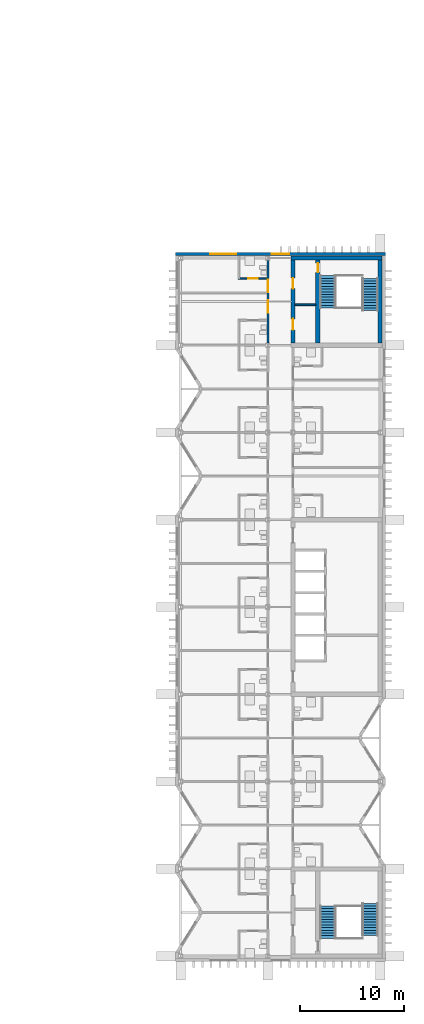
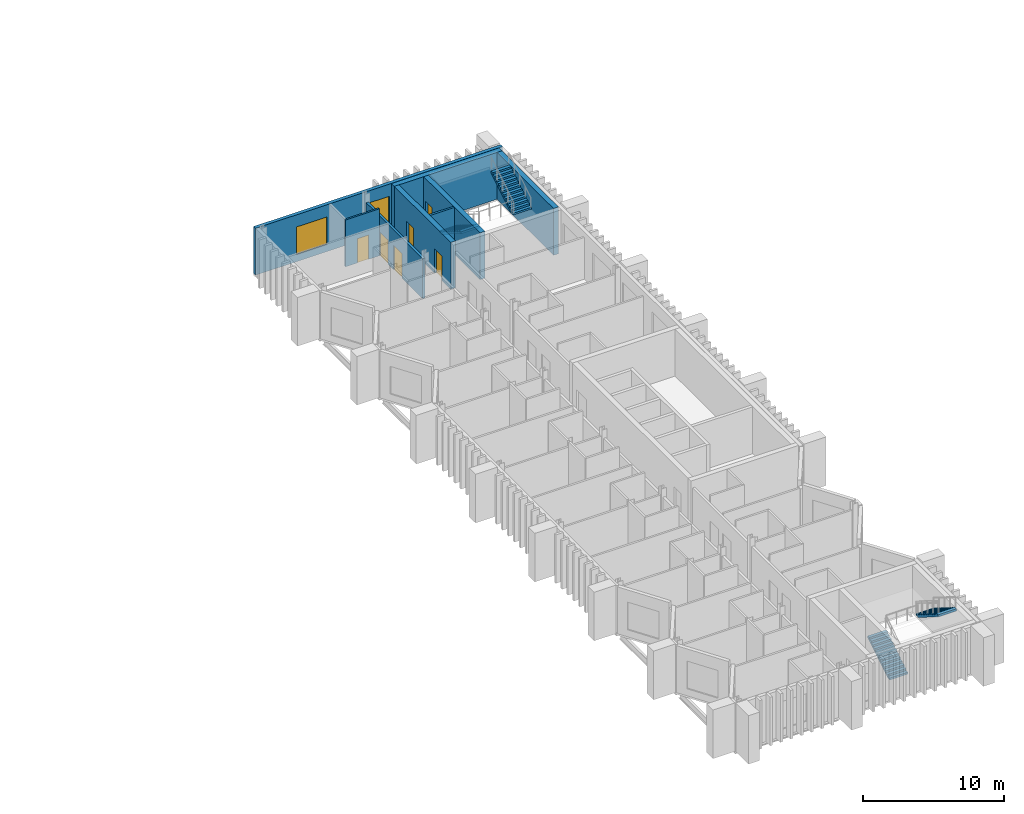
# One storey, part 15 of 17: 8 walls, 6 doors, 4 stair flights, 2 windows, 8 openings, 2 elements without a shape of their own.
"""IFC4 building model written with IfcOpenShell, lengths in metres."""

from ifc_helpers import new_model, si_unit, direction, frame, frame_2d, origin, place, context, subcontext, project, spatial, polyline, rectangle, outline, extrude, material, layer, layer_set, type_object, element, fill, aggregate, save


model = new_model("IFC4")

# Units and contexts
model_context = context("Model", 3, precision=1e-05, world=origin(), true_north=direction((0.0, 1.0)))
body_context = subcontext(model_context, "Body", "Model", "MODEL_VIEW")
ifc_project = project(units=[si_unit("LENGTHUNIT", "METRE"), si_unit("AREAUNIT", "SQUARE_METRE"), si_unit("VOLUMEUNIT", "CUBIC_METRE"), si_unit("PLANEANGLEUNIT", "RADIAN"), si_unit("MASSUNIT", "GRAM", prefix="KILO")], contexts=[model_context])

# Site, building, storey
site_placement = place(None, origin())
site = spatial("IfcSite", under=ifc_project, at=site_placement, CompositionType="ELEMENT")
building_placement = place(site_placement, origin())
building = spatial("IfcBuilding", under=site, at=building_placement, Name="Cresset Court Congress Hotel", CompositionType="ELEMENT")
storey_placement = place(building_placement, frame((0.0, 0.0, 31.199951171875)))
storey = spatial("IfcBuildingStorey", under=building, at=storey_placement, Name="L07", CompositionType="ELEMENT", Elevation=31.199951171875)

# Wall, openings, doors
ifc_material_1 = material(Name="Gypsum board partition")
ifc_layer_1 = layer(ifc_material_1, 0.199951171875)
ifc_layer_set_1 = layer_set([ifc_layer_1], Name="Corridor wall 200")
wall_type_1 = type_object("IfcWallType", Name="Corridor wall 200", PredefinedType="PARTITIONING", material=ifc_layer_set_1)
wall_1_placement = place(storey_placement, frame((165.60009765625, 59.0, 0.0), z_axis=(0.0, 0.0, 1.0), x_axis=(0.0, 1.0, 0.0)))
wall_1 = element("IfcWall", 1, at=wall_1_placement, inside=storey, type_object=wall_type_1, Name="A.wl.L07.077", PredefinedType="PARTITIONING", context=body_context, shape_type="SweptSolid", body=[
    extrude(rectangle(XDim=8.0, YDim=0.199951171875, at=frame_2d((4.0, 0.0))), origin(), (0.0, 0.0, 1.0), 3.449951171875),
])
opening_1_placement = place(wall_1_placement, frame((2.919921875, 0.0, 0.0)))
opening_1 = element("IfcOpeningElement", 2, at=opening_1_placement, cuts=wall_1, Name="Opening DA-07-30", PredefinedType="OPENING", context=body_context, shape_type="SweptSolid", body=[
    extrude(rectangle(XDim=1.199951171875, YDim=2.10009765625, at=frame_2d((0.60009765625, 1.050048828125))), frame((0.0, 0.10986328125, 0.0), z_axis=(0.0, -1.0, 0.0), x_axis=(1.0, 0.0, 0.0)), (0.0, 0.0, 1.0), 0.219970703125),
])
opening_2_placement = place(wall_1_placement, frame((4.919921875, 0.0, 0.0)))
opening_2 = element("IfcOpeningElement", 3, at=opening_2_placement, cuts=wall_1, Name="Opening DA-07-32", PredefinedType="OPENING", context=body_context, shape_type="SweptSolid", body=[
    extrude(rectangle(XDim=1.199951171875, YDim=2.10009765625, at=frame_2d((0.60009765625, 1.050048828125))), frame((0.0, 0.10986328125, 0.0), z_axis=(0.0, -1.0, 0.0), x_axis=(1.0, 0.0, 0.0)), (0.0, 0.0, 1.0), 0.219970703125),
])
ifc_material_2 = material(Name="timber", Category="wood")
door_type_1 = type_object("IfcDoorType", Name="Guest-room entry door 1200x2100 FD30S", OperationType="SINGLE_SWING_LEFT", PredefinedType="DOOR", material=ifc_material_2)
door_1_placement = place(opening_1_placement, origin())
door_1 = element("IfcDoor", 4, at=door_1_placement, inside=storey, type_object=door_type_1, Name="Door DA-07-30", OperationType="SINGLE_SWING_RIGHT", OverallHeight=2.10009765625, OverallWidth=1.199951171875, PredefinedType="DOOR", context=body_context, shape_type="SweptSolid", body=[
    extrude(rectangle(XDim=1.199951171875, YDim=2.10009765625, at=frame_2d((0.60009765625, 1.050048828125))), frame((0.0, 0.02490234375, 0.0), z_axis=(0.0, -1.0, 0.0), x_axis=(1.0, 0.0, 0.0)), (0.0, 0.0, 1.0), 0.050048828125),
])
fill(opening_1, door_1)
door_2_placement = place(opening_2_placement, origin())
door_2 = element("IfcDoor", 5, at=door_2_placement, inside=storey, type_object=door_type_1, Name="Door DA-07-32", OperationType="SINGLE_SWING_LEFT", OverallHeight=2.10009765625, OverallWidth=1.199951171875, PredefinedType="DOOR", context=body_context, shape_type="SweptSolid", body=[
    extrude(rectangle(XDim=1.199951171875, YDim=2.10009765625, at=frame_2d((0.60009765625, 1.050048828125))), frame((0.0, 0.02490234375, 0.0), z_axis=(0.0, -1.0, 0.0), x_axis=(1.0, 0.0, 0.0)), (0.0, 0.0, 1.0), 0.050048828125),
])
fill(opening_2, door_2)

# Wall, opening, door
ifc_material_3 = material(Name="Gypsum board partition")
ifc_layer_2 = layer(ifc_material_3, 0.14990234375)
ifc_layer_set_2 = layer_set([ifc_layer_2], Name="En-suite wall 150")
wall_type_2 = type_object("IfcWallType", Name="En-suite wall 150", PredefinedType="PARTITIONING", material=ifc_layer_set_2)
wall_2_placement = place(storey_placement, frame((162.75, 65.199951171875, 0.0), z_axis=(0.0, 0.0, 1.0), x_axis=(1.0, 0.0, 0.0)))
wall_2 = element("IfcWall", 6, at=wall_2_placement, inside=storey, type_object=wall_type_2, Name="A.wl.L07.032", PredefinedType="PARTITIONING", context=body_context, shape_type="SweptSolid", body=[
    extrude(rectangle(XDim=2.75, YDim=0.14990234375, at=frame_2d((1.375, 0.0))), origin(), (0.0, 0.0, 1.0), 4.050048828125),
])
opening_3_placement = place(wall_2_placement, frame((0.97998046875, 0.0, 0.0)))
opening_3 = element("IfcOpeningElement", 7, at=opening_3_placement, cuts=wall_2, Name="Opening DA-07-31", PredefinedType="OPENING", context=body_context, shape_type="SweptSolid", body=[
    extrude(rectangle(XDim=0.89990234375, YDim=2.10009765625, at=frame_2d((0.449951171875, 1.050048828125))), frame((0.0, 0.0849609375, 0.0), z_axis=(0.0, -1.0, 0.0), x_axis=(1.0, 0.0, 0.0)), (0.0, 0.0, 1.0), 0.169921875),
])
ifc_material_4 = material(Name="timber", Category="wood")
door_type_2 = type_object("IfcDoorType", Name="En-suite door 900x2100", OperationType="SINGLE_SWING_LEFT", PredefinedType="DOOR", material=ifc_material_4)
door_3_placement = place(opening_3_placement, origin())
door_3 = element("IfcDoor", 8, at=door_3_placement, inside=storey, type_object=door_type_2, Name="Door DA-07-31", OperationType="SINGLE_SWING_LEFT", OverallHeight=2.10009765625, OverallWidth=0.89990234375, PredefinedType="DOOR", context=body_context, shape_type="SweptSolid", body=[
    extrude(rectangle(XDim=0.89990234375, YDim=2.10009765625, at=frame_2d((0.449951171875, 1.050048828125))), frame((0.0, 0.02490234375, 0.0), z_axis=(0.0, -1.0, 0.0), x_axis=(1.0, 0.0, 0.0)), (0.0, 0.0, 1.0), 0.050048828125),
])
fill(opening_3, door_3)

# Wall, openings, windows
ifc_material_5 = material(Name="Precast concrete C50", Category="concrete")
ifc_layer_3 = layer(ifc_material_5, 0.280029296875)
ifc_layer_set_3 = layer_set([ifc_layer_3], Name="Gable end wall 280")
wall_type_3 = type_object("IfcWallType", Name="Gable end wall 280", PredefinedType="SOLIDWALL", material=ifc_layer_set_3)
wall_3_placement = place(storey_placement, frame((156.699951171875, 67.56005859375, 0.0), z_axis=(0.0, 0.0, 1.0), x_axis=(1.0, 0.0, 0.0)))
wall_3 = element("IfcWall", 9, at=wall_3_placement, inside=storey, type_object=wall_type_3, Name="A.ew.L07.N.1", PredefinedType="SOLIDWALL", context=body_context, shape_type="SweptSolid", body=[
    extrude(rectangle(XDim=20.199951171875, YDim=0.280029296875, at=frame_2d((10.10009765625, 0.0))), origin(), (0.0, 0.0, 1.0), 4.050048828125),
])
opening_4_placement = place(wall_3_placement, frame((9.260009765625, 0.0, 0.60009765625)))
opening_4 = element("IfcOpeningElement", 10, at=opening_4_placement, cuts=wall_3, Name="Opening NA-07-27", PredefinedType="OPENING", context=body_context, shape_type="SweptSolid", body=[
    extrude(rectangle(XDim=1.679931640625, YDim=2.39990234375, at=frame_2d((0.83984375, 1.199951171875))), frame((0.0, 0.14990234375, 0.0), z_axis=(0.0, -1.0, 0.0), x_axis=(1.0, 0.0, 0.0)), (0.0, 0.0, 1.0), 0.300048828125),
])
opening_5_placement = place(wall_3_placement, frame((3.340087890625, 0.0, 0.60009765625)))
opening_5 = element("IfcOpeningElement", 11, at=opening_5_placement, cuts=wall_3, Name="Opening NA-07-28", PredefinedType="OPENING", context=body_context, shape_type="SweptSolid", body=[
    extrude(rectangle(XDim=2.52001953125, YDim=2.39990234375, at=frame_2d((1.260009765625, 1.199951171875))), frame((0.0, 0.14990234375, 0.0), z_axis=(0.0, -1.0, 0.0), x_axis=(1.0, 0.0, 0.0)), (0.0, 0.0, 1.0), 0.300048828125),
])
ifc_material_6 = material(Name="Aluminium and glass", Category="aluminium")
window_type_1 = type_object("IfcWindowType", Name="Window 1680x2400", PartitioningType="SINGLE_PANEL", PredefinedType="WINDOW", material=ifc_material_6)
window_1_placement = place(opening_4_placement, origin())
window_1 = element("IfcWindow", 12, at=window_1_placement, inside=storey, type_object=window_type_1, Name="Window NA-07-27", OverallHeight=2.39990234375, OverallWidth=1.679931640625, PartitioningType="SINGLE_PANEL", PredefinedType="WINDOW", context=body_context, shape_type="SweptSolid", body=[
    extrude(rectangle(XDim=1.679931640625, YDim=2.39990234375, at=frame_2d((0.83984375, 1.199951171875))), frame((0.0, 0.030029296875, 0.0), z_axis=(0.0, -1.0, 0.0), x_axis=(1.0, 0.0, 0.0)), (0.0, 0.0, 1.0), 0.06005859375),
])
fill(opening_4, window_1)
ifc_material_7 = material(Name="Aluminium and glass", Category="aluminium")
window_type_2 = type_object("IfcWindowType", Name="Window 2520x2400", PartitioningType="SINGLE_PANEL", PredefinedType="WINDOW", material=ifc_material_7)
window_2_placement = place(opening_5_placement, origin())
window_2 = element("IfcWindow", 13, at=window_2_placement, inside=storey, type_object=window_type_2, Name="Window NA-07-28", OverallHeight=2.39990234375, OverallWidth=2.52001953125, PartitioningType="SINGLE_PANEL", PredefinedType="WINDOW", context=body_context, shape_type="SweptSolid", body=[
    extrude(rectangle(XDim=2.52001953125, YDim=2.39990234375, at=frame_2d((1.260009765625, 1.199951171875))), frame((0.0, 0.030029296875, 0.0), z_axis=(0.0, -1.0, 0.0), x_axis=(1.0, 0.0, 0.0)), (0.0, 0.0, 1.0), 0.06005859375),
])
fill(opening_5, window_2)

# Walls
ifc_material_8 = material(Name="Concrete block wall", Category="concrete")
ifc_layer_4 = layer(ifc_material_8, 0.175048828125)
ifc_layer_set_4 = layer_set([ifc_layer_4], Name="Riser shaft wall 175")
wall_type_4 = type_object("IfcWallType", Name="Riser shaft wall 175", PredefinedType="PARTITIONING", material=ifc_layer_set_4)
wall_4_placement = place(storey_placement, frame((168.199951171875, 62.699951171875, 0.0), z_axis=(0.0, 0.0, 1.0), x_axis=(1.0, 0.0, 0.0)))
element("IfcWall", 14, at=wall_4_placement, inside=storey, type_object=wall_type_4, Name="A.wl.L07.085", PredefinedType="PARTITIONING", context=body_context, shape_type="SweptSolid", body=[
    extrude(rectangle(XDim=2.0, YDim=0.175048828125, at=frame_2d((1.0, 0.0))), origin(), (0.0, 0.0, 1.0), 4.050048828125),
])
ifc_material_9 = material(Name="Concrete C50", Category="concrete")
ifc_layer_5 = layer(ifc_material_9, 0.39990234375)
ifc_layer_set_5 = layer_set([ifc_layer_5], Name="Stair core wall 400")
wall_type_5 = type_object("IfcWallType", Name="Stair core wall 400", PredefinedType="SOLIDWALL", material=ifc_layer_set_5)
wall_5_placement = place(storey_placement, frame((167.800048828125, 67.199951171875, 0.0), z_axis=(0.0, 0.0, 1.0), x_axis=(1.0, 0.0, 0.0)))
element("IfcWall", 15, at=wall_5_placement, inside=storey, type_object=wall_type_5, Name="A.cw.ST-A2.L07.N", PredefinedType="SOLIDWALL", context=body_context, shape_type="SweptSolid", body=[
    extrude(rectangle(XDim=8.800048828125, YDim=0.39990234375, at=frame_2d((4.39990234375, 0.0))), origin(), (0.0, 0.0, 1.0), 4.050048828125),
])

# Wall, openings, doors
wall_6_placement = place(storey_placement, frame((168.0, 59.0, 0.0), z_axis=(0.0, 0.0, 1.0), x_axis=(0.0, 1.0, 0.0)))
wall_6 = element("IfcWall", 16, at=wall_6_placement, inside=storey, type_object=wall_type_5, Name="A.cw.ST-A2.L07.W", PredefinedType="SOLIDWALL", context=body_context, shape_type="SweptSolid", body=[
    extrude(rectangle(XDim=8.0, YDim=0.39990234375, at=frame_2d((4.0, 0.0))), origin(), (0.0, 0.0, 1.0), 4.050048828125),
])
opening_6_placement = place(wall_6_placement, frame((5.25, 0.0, 0.0)))
opening_6 = element("IfcOpeningElement", 17, at=opening_6_placement, cuts=wall_6, Name="Opening DA-07-53", PredefinedType="OPENING", context=body_context, shape_type="SweptSolid", body=[
    extrude(rectangle(XDim=1.0, YDim=2.10009765625, at=frame_2d((0.5, 1.050048828125))), frame((0.0, 0.2099609375, 0.0), z_axis=(0.0, -1.0, 0.0), x_axis=(1.0, 0.0, 0.0)), (0.0, 0.0, 1.0), 0.419921875),
])
opening_7_placement = place(wall_6_placement, frame((1.27490234375, 0.0, 0.0)))
opening_7 = element("IfcOpeningElement", 18, at=opening_7_placement, cuts=wall_6, Name="Opening DA-07-54", PredefinedType="OPENING", context=body_context, shape_type="SweptSolid", body=[
    extrude(rectangle(XDim=1.050048828125, YDim=2.10009765625, at=frame_2d((0.52490234375, 1.050048828125))), frame((0.0, 0.2099609375, 0.0), z_axis=(0.0, -1.0, 0.0), x_axis=(1.0, 0.0, 0.0)), (0.0, 0.0, 1.0), 0.419921875),
])
ifc_material_10 = material(Name="steel", Category="steel")
door_type_3 = type_object("IfcDoorType", Name="Housekeeping room door 1050x2100 FD30", OperationType="SINGLE_SWING_LEFT", PredefinedType="DOOR", material=ifc_material_10)
door_4_placement = place(opening_7_placement, origin())
door_4 = element("IfcDoor", 19, at=door_4_placement, inside=storey, type_object=door_type_3, Name="Door DA-07-54", OperationType="SINGLE_SWING_RIGHT", OverallHeight=2.10009765625, OverallWidth=1.050048828125, PredefinedType="DOOR", context=body_context, shape_type="SweptSolid", body=[
    extrude(rectangle(XDim=1.050048828125, YDim=2.10009765625, at=frame_2d((0.52490234375, 1.050048828125))), frame((0.0, 0.02490234375, 0.0), z_axis=(0.0, -1.0, 0.0), x_axis=(1.0, 0.0, 0.0)), (0.0, 0.0, 1.0), 0.050048828125),
])
fill(opening_7, door_4)
ifc_material_11 = material(Name="steel", Category="steel")
door_type_4 = type_object("IfcDoorType", Name="Lobby door 1000x2100 FD60", OperationType="SINGLE_SWING_LEFT", PredefinedType="DOOR", material=ifc_material_11)
door_5_placement = place(opening_6_placement, origin())
door_5 = element("IfcDoor", 20, at=door_5_placement, inside=storey, type_object=door_type_4, Name="Door DA-07-53", OperationType="SINGLE_SWING_LEFT", OverallHeight=2.10009765625, OverallWidth=1.0, PredefinedType="DOOR", context=body_context, shape_type="SweptSolid", body=[
    extrude(rectangle(XDim=1.0, YDim=2.10009765625, at=frame_2d((0.5, 1.050048828125))), frame((0.0, 0.02490234375, 0.0), z_axis=(0.0, -1.0, 0.0), x_axis=(1.0, 0.0, 0.0)), (0.0, 0.0, 1.0), 0.050048828125),
])
fill(opening_6, door_5)

# Wall
wall_7_placement = place(storey_placement, frame((176.39990234375, 59.0, 0.0), z_axis=(0.0, 0.0, 1.0), x_axis=(0.0, 1.0, 0.0)))
element("IfcWall", 21, at=wall_7_placement, inside=storey, type_object=wall_type_5, Name="A.cw.ST-A2.L07.E", PredefinedType="SOLIDWALL", context=body_context, shape_type="SweptSolid", body=[
    extrude(rectangle(XDim=8.0, YDim=0.39990234375, at=frame_2d((4.0, 0.0))), origin(), (0.0, 0.0, 1.0), 4.050048828125),
])

# Wall, opening, door
wall_8_placement = place(storey_placement, frame((170.39990234375, 59.0, 0.0), z_axis=(0.0, 0.0, 1.0), x_axis=(0.0, 1.0, 0.0)))
wall_8 = element("IfcWall", 22, at=wall_8_placement, inside=storey, type_object=wall_type_5, Name="A.wl.L07.084", PredefinedType="SOLIDWALL", context=body_context, shape_type="SweptSolid", body=[
    extrude(rectangle(XDim=8.0, YDim=0.39990234375, at=frame_2d((4.0, 0.0))), origin(), (0.0, 0.0, 1.0), 4.050048828125),
])
opening_8_placement = place(wall_8_placement, frame((6.800048828125, 0.0, 0.0)))
opening_8 = element("IfcOpeningElement", 23, at=opening_8_placement, cuts=wall_8, Name="Opening DA-07-52", PredefinedType="OPENING", context=body_context, shape_type="SweptSolid", body=[
    extrude(rectangle(XDim=0.89990234375, YDim=2.10009765625, at=frame_2d((0.449951171875, 1.050048828125))), frame((0.0, 0.2099609375, 0.0), z_axis=(0.0, -1.0, 0.0), x_axis=(1.0, 0.0, 0.0)), (0.0, 0.0, 1.0), 0.419921875),
])
ifc_material_12 = material(Name="steel", Category="steel")
door_type_5 = type_object("IfcDoorType", Name="Stair door 900x2100 FD60", OperationType="SINGLE_SWING_LEFT", PredefinedType="DOOR", material=ifc_material_12)
door_6_placement = place(opening_8_placement, origin())
door_6 = element("IfcDoor", 24, at=door_6_placement, inside=storey, type_object=door_type_5, Name="Door DA-07-52", OperationType="SINGLE_SWING_RIGHT", OverallHeight=2.10009765625, OverallWidth=0.89990234375, PredefinedType="DOOR", context=body_context, shape_type="SweptSolid", body=[
    extrude(rectangle(XDim=0.89990234375, YDim=2.10009765625, at=frame_2d((0.449951171875, 1.050048828125))), frame((0.0, 0.02490234375, 0.0), z_axis=(0.0, -1.0, 0.0), x_axis=(1.0, 0.0, 0.0)), (0.0, 0.0, 1.0), 0.050048828125),
])
fill(opening_8, door_6)

# Stair, stair flights
ifc_material_13 = material(Name="Concrete C40", Category="concrete")
stair_type = type_object("IfcStairType", Name="Concrete dog-leg stair 5600", PredefinedType="HALF_TURN_STAIR", material=ifc_material_13)
stair_1_placement = place(storey_placement, origin())
stair_1 = element("IfcStair", 25, at=stair_1_placement, inside=storey, type_object=stair_type, Name="Stair A1 L07", PredefinedType="HALF_TURN_STAIR")
ifc_material_14 = material(Name="Concrete C40", Category="concrete")
stair_flight_type = type_object("IfcStairFlightType", Name="Concrete stair flight", PredefinedType="STRAIGHT", material=ifc_material_14)
stair_flight_1_placement = place(storey_placement, frame((171.35009765625, 1.699951171875, 0.0), z_axis=(0.0, 0.0, 1.0), x_axis=(0.0, 1.0, 0.0)))
stair_flight_1 = element("IfcStairFlight", 26, at=stair_flight_1_placement, type_object=stair_flight_type, Name="A-ST1 flight 1", NumberOfRisers=13, NumberOfTreads=12, PredefinedType="STRAIGHT", RiserHeight=0.161538462, TreadLength=0.26, context=body_context, shape_type="SweptSolid", body=[
    extrude(outline(polyline([(0.0, 0.0), (0.0, 0.16162109375), (0.260009765625, 0.16162109375), (0.260009765625, 0.322998046875), (0.52001953125, 0.322998046875), (0.52001953125, 0.484619140625), (0.780029296875, 0.484619140625), (0.780029296875, 0.646240234375), (1.0400390625, 0.646240234375), (1.0400390625, 0.8076171875), (1.300048828125, 0.8076171875), (1.300048828125, 0.96923828125), (1.56005859375, 0.96923828125), (1.56005859375, 1.130859375), (1.820068359375, 1.130859375), (1.820068359375, 1.292236328125), (2.080078125, 1.292236328125), (2.080078125, 1.453857421875), (2.340087890625, 1.453857421875), (2.340087890625, 1.615478515625), (2.60009765625, 1.615478515625), (2.60009765625, 1.77685546875), (2.860107421875, 1.77685546875), (2.860107421875, 1.9384765625), (3.1201171875, 1.9384765625), (3.1201171875, 2.10009765625), (3.1201171875, 1.761962890625), (0.283935546875, 0.0), (0.0, 0.0)])), frame((0.0, 0.75, 0.0), z_axis=(0.0, -1.0, 0.0), x_axis=(1.0, 0.0, 0.0)), (0.0, 0.0, 1.0), 1.5),
])
stair_flight_2_placement = place(storey_placement, frame((175.449951171875, 5.080078125, 2.10009765625), z_axis=(0.0, 0.0, 1.0), x_axis=(0.0, -1.0, 0.0)))
stair_flight_2 = element("IfcStairFlight", 27, at=stair_flight_2_placement, type_object=stair_flight_type, Name="A-ST1 flight 2", NumberOfRisers=13, NumberOfTreads=12, PredefinedType="STRAIGHT", RiserHeight=0.161538462, TreadLength=0.26, context=body_context, shape_type="SweptSolid", body=[
    extrude(outline(polyline([(0.0, 0.0), (0.0, 0.16162109375), (0.260009765625, 0.16162109375), (0.260009765625, 0.322998046875), (0.52001953125, 0.322998046875), (0.52001953125, 0.484619140625), (0.780029296875, 0.484619140625), (0.780029296875, 0.646240234375), (1.0400390625, 0.646240234375), (1.0400390625, 0.8076171875), (1.300048828125, 0.8076171875), (1.300048828125, 0.96923828125), (1.56005859375, 0.96923828125), (1.56005859375, 1.130859375), (1.820068359375, 1.130859375), (1.820068359375, 1.292236328125), (2.080078125, 1.292236328125), (2.080078125, 1.453857421875), (2.340087890625, 1.453857421875), (2.340087890625, 1.615478515625), (2.60009765625, 1.615478515625), (2.60009765625, 1.77685546875), (2.860107421875, 1.77685546875), (2.860107421875, 1.9384765625), (3.1201171875, 1.9384765625), (3.1201171875, 2.10009765625), (3.1201171875, 1.761962890625), (0.283935546875, 0.0), (0.0, 0.0)])), frame((0.0, 0.75, 0.0), z_axis=(0.0, -1.0, 0.0), x_axis=(1.0, 0.0, 0.0)), (0.0, 0.0, 1.0), 1.5),
])
aggregate(stair_1, [stair_flight_1, stair_flight_2])

stair_2_placement = place(storey_placement, origin())
stair_2 = element("IfcStair", 28, at=stair_2_placement, inside=storey, type_object=stair_type, Name="Stair A2 L07", PredefinedType="HALF_TURN_STAIR")
stair_flight_3_placement = place(storey_placement, frame((171.35009765625, 65.5, 0.0), z_axis=(0.0, 0.0, 1.0), x_axis=(0.0, -1.0, 0.0)))
stair_flight_3 = element("IfcStairFlight", 29, at=stair_flight_3_placement, type_object=stair_flight_type, Name="A-ST1 flight 1", NumberOfRisers=13, NumberOfTreads=12, PredefinedType="STRAIGHT", RiserHeight=0.161538462, TreadLength=0.26, context=body_context, shape_type="SweptSolid", body=[
    extrude(outline(polyline([(0.0, 0.0), (0.0, 0.16162109375), (0.260009765625, 0.16162109375), (0.260009765625, 0.322998046875), (0.52001953125, 0.322998046875), (0.52001953125, 0.484619140625), (0.780029296875, 0.484619140625), (0.780029296875, 0.646240234375), (1.0400390625, 0.646240234375), (1.0400390625, 0.8076171875), (1.300048828125, 0.8076171875), (1.300048828125, 0.96923828125), (1.56005859375, 0.96923828125), (1.56005859375, 1.130859375), (1.820068359375, 1.130859375), (1.820068359375, 1.292236328125), (2.080078125, 1.292236328125), (2.080078125, 1.453857421875), (2.340087890625, 1.453857421875), (2.340087890625, 1.615478515625), (2.60009765625, 1.615478515625), (2.60009765625, 1.77685546875), (2.860107421875, 1.77685546875), (2.860107421875, 1.9384765625), (3.1201171875, 1.9384765625), (3.1201171875, 2.10009765625), (3.1201171875, 1.761962890625), (0.283935546875, 0.0), (0.0, 0.0)])), frame((0.0, 0.75, 0.0), z_axis=(0.0, -1.0, 0.0), x_axis=(1.0, 0.0, 0.0)), (0.0, 0.0, 1.0), 1.5),
])
stair_flight_4_placement = place(storey_placement, frame((175.449951171875, 62.1201171875, 2.10009765625), z_axis=(0.0, 0.0, 1.0), x_axis=(0.0, 1.0, 0.0)))
stair_flight_4 = element("IfcStairFlight", 30, at=stair_flight_4_placement, type_object=stair_flight_type, Name="A-ST1 flight 2", NumberOfRisers=13, NumberOfTreads=12, PredefinedType="STRAIGHT", RiserHeight=0.161538462, TreadLength=0.26, context=body_context, shape_type="SweptSolid", body=[
    extrude(outline(polyline([(0.0, 0.0), (0.0, 0.16162109375), (0.260009765625, 0.16162109375), (0.260009765625, 0.322998046875), (0.52001953125, 0.322998046875), (0.52001953125, 0.484619140625), (0.780029296875, 0.484619140625), (0.780029296875, 0.646240234375), (1.0400390625, 0.646240234375), (1.0400390625, 0.8076171875), (1.300048828125, 0.8076171875), (1.300048828125, 0.96923828125), (1.56005859375, 0.96923828125), (1.56005859375, 1.130859375), (1.820068359375, 1.130859375), (1.820068359375, 1.292236328125), (2.080078125, 1.292236328125), (2.080078125, 1.453857421875), (2.340087890625, 1.453857421875), (2.340087890625, 1.615478515625), (2.60009765625, 1.615478515625), (2.60009765625, 1.77685546875), (2.860107421875, 1.77685546875), (2.860107421875, 1.9384765625), (3.1201171875, 1.9384765625), (3.1201171875, 2.10009765625), (3.1201171875, 1.761962890625), (0.283935546875, 0.0), (0.0, 0.0)])), frame((0.0, 0.75, 0.0), z_axis=(0.0, -1.0, 0.0), x_axis=(1.0, 0.0, 0.0)), (0.0, 0.0, 1.0), 1.5),
])
aggregate(stair_2, [stair_flight_3, stair_flight_4])

save(model, "model.ifc")
